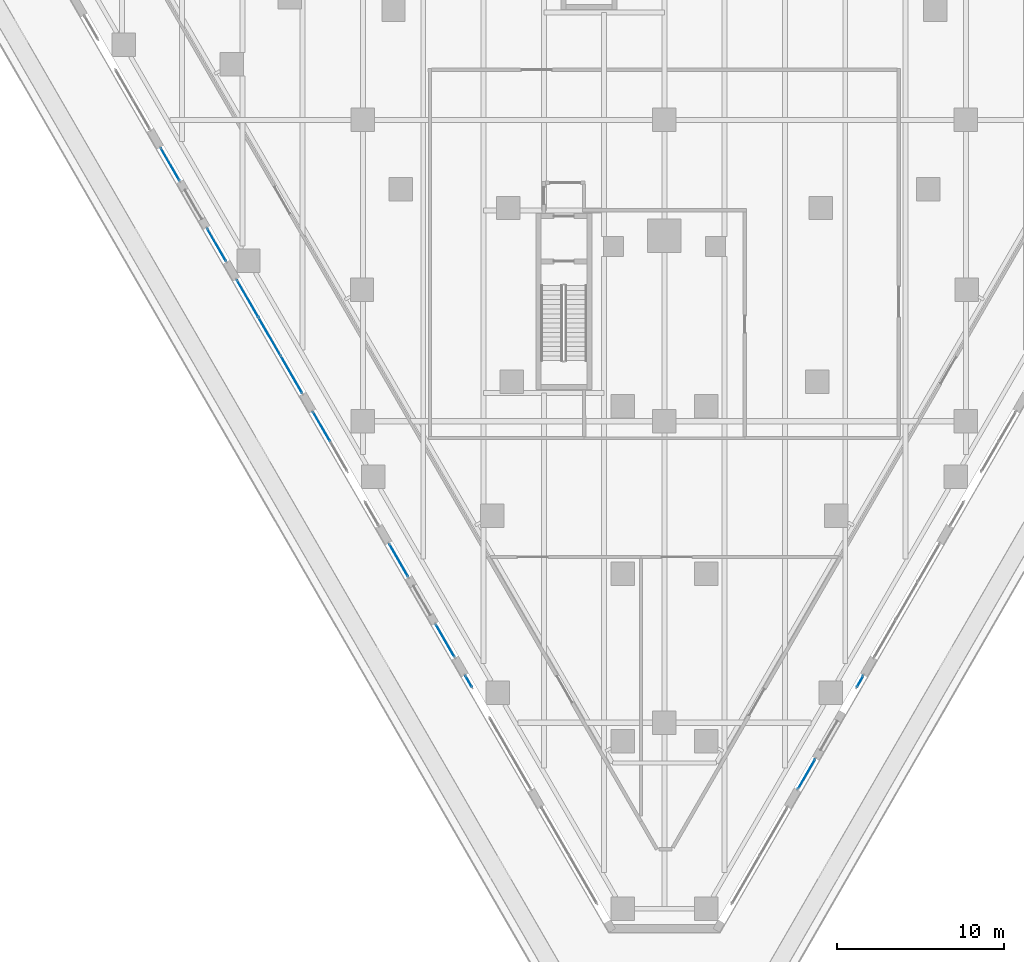
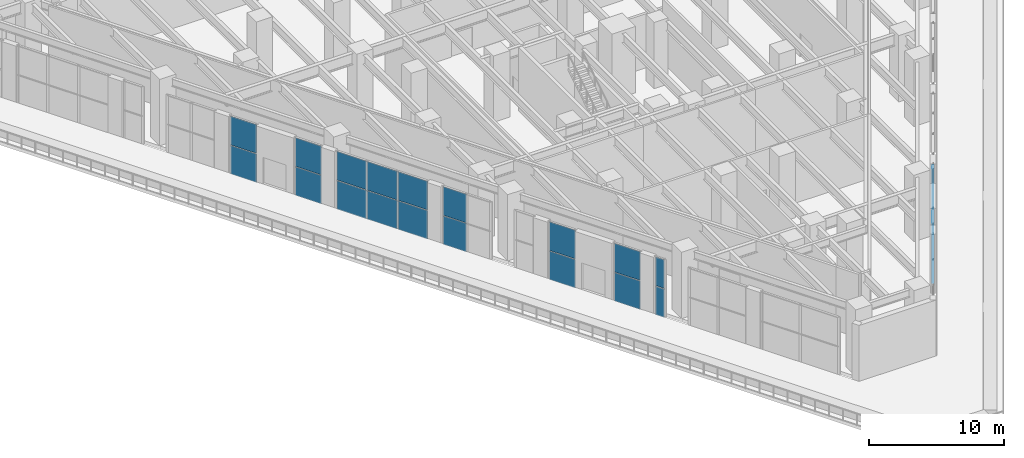
# One storey, part 21 of 40: 22 plates, 9 elements without a shape of their own.
"""IFC4 building model written with IfcOpenShell, lengths in metres."""

from ifc_helpers import new_model, si_unit, direction, frame, origin, origin_2d, place, context, subcontext, project, spatial, rectangle, extrude, material, layer, layer_set, type_object, element, aggregate, save


model = new_model("IFC4")

# Units and contexts
model_context = context("Model", 3, precision=1e-05, world=origin(), true_north=direction((0.0, 1.0)))
body_context = subcontext(model_context, "Body", "Model", "MODEL_VIEW")
ifc_project = project(units=[si_unit("LENGTHUNIT", "METRE"), si_unit("AREAUNIT", "SQUARE_METRE"), si_unit("VOLUMEUNIT", "CUBIC_METRE"), si_unit("PLANEANGLEUNIT", "RADIAN"), si_unit("MASSUNIT", "GRAM", prefix="KILO")], contexts=[model_context])

# Site, building, storey
site_placement = place(None, origin())
site = spatial("IfcSite", under=ifc_project, at=site_placement, CompositionType="ELEMENT")
building_placement = place(site_placement, origin())
building = spatial("IfcBuilding", under=site, at=building_placement, Name="Aloe Facet Convention Tower", CompositionType="ELEMENT")
storey_placement = place(building_placement, frame((0.0, 0.0, 13.5)))
storey = spatial("IfcBuildingStorey", under=building, at=storey_placement, Name="L02", CompositionType="ELEMENT", Elevation=13.5)

# Curtain wall, plates
ifc_material_1 = material(Name="Aluminium, anodised", Category="aluminium")
curtain_wall_type = type_object("IfcCurtainWallType", Name="EV-CW-HALL", PredefinedType="USERDEFINED", material=ifc_material_1)
curtain_wall_1_placement = place(storey_placement, origin())
curtain_wall_1 = element("IfcCurtainWall", 1, at=curtain_wall_1_placement, inside=storey, type_object=curtain_wall_type, Name="CW-L02-W10A", ObjectType="UNITISED HALL GLAZING", PredefinedType="USERDEFINED")
ifc_material_2 = material(Name="Clear double glazing", Category="glass")
ifc_layer = layer(ifc_material_2, 0.035888671875)
ifc_layer_set = layer_set([ifc_layer], Name="EV-PANEL-HALL")
plate_type = type_object("IfcPlateType", Name="EV-PANEL-HALL", PredefinedType="CURTAIN_PANEL", material=ifc_layer_set)
plate_1_placement = place(storey_placement, frame((50.48583984375, 96.340576171875, -0.23486328125), z_axis=(0.0, 0.0, 1.0), x_axis=(0.500000000227, -0.866025403654, 0.0)))
plate_1 = element("IfcPlate", 2, at=plate_1_placement, type_object=plate_type, Name="CW-L02-W10A panel 1.1", PredefinedType="CURTAIN_PANEL", context=body_context, shape_type="SweptSolid", body=[
    extrude(rectangle(XDim=2.219482421875, YDim=0.035888671875, at=origin_2d()), origin(), (0.0, 0.0, 1.0), 2.583740234375),
])
plate_2_placement = place(storey_placement, frame((50.48583984375, 96.340576171875, 2.41357421875), z_axis=(0.0, 0.0, 1.0), x_axis=(0.500000000227, -0.866025403654, 0.0)))
plate_2 = element("IfcPlate", 3, at=plate_2_placement, type_object=plate_type, Name="CW-L02-W10A panel 1.2", PredefinedType="CURTAIN_PANEL", context=body_context, shape_type="SweptSolid", body=[
    extrude(rectangle(XDim=2.219482421875, YDim=0.035888671875, at=origin_2d()), origin(), (0.0, 0.0, 1.0), 2.583740234375),
])
aggregate(curtain_wall_1, [plate_1, plate_2])

curtain_wall_2_placement = place(storey_placement, origin())
curtain_wall_2 = element("IfcCurtainWall", 4, at=curtain_wall_2_placement, inside=storey, type_object=curtain_wall_type, Name="CW-L02-W10B", ObjectType="UNITISED HALL GLAZING", PredefinedType="USERDEFINED")
plate_3_placement = place(storey_placement, frame((53.260498046875, 91.53466796875, -0.23486328125), z_axis=(0.0, 0.0, 1.0), x_axis=(0.499999999909, -0.866025403837, 0.0)))
plate_3 = element("IfcPlate", 5, at=plate_3_placement, type_object=plate_type, Name="CW-L02-W10B panel 1.1", PredefinedType="CURTAIN_PANEL", context=body_context, shape_type="SweptSolid", body=[
    extrude(rectangle(XDim=2.219482421875, YDim=0.035888671875, at=origin_2d()), origin(), (0.0, 0.0, 1.0), 2.583740234375),
])
plate_4_placement = place(storey_placement, frame((53.260498046875, 91.53466796875, 2.41357421875), z_axis=(0.0, 0.0, 1.0), x_axis=(0.499999999909, -0.866025403837, 0.0)))
plate_4 = element("IfcPlate", 6, at=plate_4_placement, type_object=plate_type, Name="CW-L02-W10B panel 1.2", PredefinedType="CURTAIN_PANEL", context=body_context, shape_type="SweptSolid", body=[
    extrude(rectangle(XDim=2.219482421875, YDim=0.035888671875, at=origin_2d()), origin(), (0.0, 0.0, 1.0), 2.583740234375),
])
aggregate(curtain_wall_2, [plate_3, plate_4])

curtain_wall_3_placement = place(storey_placement, origin())
curtain_wall_3 = element("IfcCurtainWall", 7, at=curtain_wall_3_placement, inside=storey, type_object=curtain_wall_type, Name="CW-L02-W12", ObjectType="UNITISED HALL GLAZING", PredefinedType="USERDEFINED")
plate_5_placement = place(storey_placement, frame((55.1142578125, 88.323974609375, -0.23486328125), z_axis=(0.0, 0.0, 1.0), x_axis=(0.500000000045, -0.866025403758, 0.0)))
plate_5 = element("IfcPlate", 8, at=plate_5_placement, type_object=plate_type, Name="CW-L02-W12 panel 1.1", PredefinedType="CURTAIN_PANEL", context=body_context, shape_type="SweptSolid", body=[
    extrude(rectangle(XDim=2.535400390625, YDim=0.035888671875, at=origin_2d()), origin(), (0.0, 0.0, 1.0), 2.583740234375),
])
plate_6_placement = place(storey_placement, frame((55.1142578125, 88.323974609375, 2.41357421875), z_axis=(0.0, 0.0, 1.0), x_axis=(0.500000000045, -0.866025403758, 0.0)))
plate_6 = element("IfcPlate", 9, at=plate_6_placement, type_object=plate_type, Name="CW-L02-W12 panel 1.2", PredefinedType="CURTAIN_PANEL", context=body_context, shape_type="SweptSolid", body=[
    extrude(rectangle(XDim=2.535400390625, YDim=0.035888671875, at=origin_2d()), origin(), (0.0, 0.0, 1.0), 2.583740234375),
])
plate_7_placement = place(storey_placement, frame((56.422607421875, 86.057861328125, -0.23486328125), z_axis=(0.0, 0.0, 1.0), x_axis=(0.500000000045, -0.866025403758, 0.0)))
plate_7 = element("IfcPlate", 10, at=plate_7_placement, type_object=plate_type, Name="CW-L02-W12 panel 2.1", PredefinedType="CURTAIN_PANEL", context=body_context, shape_type="SweptSolid", body=[
    extrude(rectangle(XDim=2.56787109375, YDim=0.035888671875, at=origin_2d()), origin(), (0.0, 0.0, 1.0), 2.583740234375),
])
plate_8_placement = place(storey_placement, frame((56.422607421875, 86.057861328125, 2.41357421875), z_axis=(0.0, 0.0, 1.0), x_axis=(0.500000000045, -0.866025403758, 0.0)))
plate_8 = element("IfcPlate", 11, at=plate_8_placement, type_object=plate_type, Name="CW-L02-W12 panel 2.2", PredefinedType="CURTAIN_PANEL", context=body_context, shape_type="SweptSolid", body=[
    extrude(rectangle(XDim=2.56787109375, YDim=0.035888671875, at=origin_2d()), origin(), (0.0, 0.0, 1.0), 2.583740234375),
])
plate_9_placement = place(storey_placement, frame((57.73095703125, 83.791748046875, -0.23486328125), z_axis=(0.0, 0.0, 1.0), x_axis=(0.500000000045, -0.866025403758, 0.0)))
plate_9 = element("IfcPlate", 12, at=plate_9_placement, type_object=plate_type, Name="CW-L02-W12 panel 3.1", PredefinedType="CURTAIN_PANEL", context=body_context, shape_type="SweptSolid", body=[
    extrude(rectangle(XDim=2.535400390625, YDim=0.035888671875, at=origin_2d()), origin(), (0.0, 0.0, 1.0), 2.583740234375),
])
plate_10_placement = place(storey_placement, frame((57.73095703125, 83.791748046875, 2.41357421875), z_axis=(0.0, 0.0, 1.0), x_axis=(0.500000000045, -0.866025403758, 0.0)))
plate_10 = element("IfcPlate", 13, at=plate_10_placement, type_object=plate_type, Name="CW-L02-W12 panel 3.2", PredefinedType="CURTAIN_PANEL", context=body_context, shape_type="SweptSolid", body=[
    extrude(rectangle(XDim=2.535400390625, YDim=0.035888671875, at=origin_2d()), origin(), (0.0, 0.0, 1.0), 2.583740234375),
])
aggregate(curtain_wall_3, [plate_5, plate_6, plate_7, plate_8, plate_9, plate_10])

curtain_wall_4_placement = place(storey_placement, origin())
curtain_wall_4 = element("IfcCurtainWall", 14, at=curtain_wall_4_placement, inside=storey, type_object=curtain_wall_type, Name="CW-L02-W14-1", ObjectType="UNITISED HALL GLAZING", PredefinedType="USERDEFINED")
plate_11_placement = place(storey_placement, frame((59.52685546875, 80.68115234375, -0.23486328125), z_axis=(0.0, 0.0, 1.0), x_axis=(0.49999999994, -0.866025403819, 0.0)))
plate_11 = element("IfcPlate", 15, at=plate_11_placement, type_object=plate_type, Name="CW-L02-W14-1 panel 1.1", PredefinedType="CURTAIN_PANEL", context=body_context, shape_type="SweptSolid", body=[
    extrude(rectangle(XDim=1.98828125, YDim=0.035888671875, at=origin_2d()), origin(), (0.0, 0.0, 1.0), 2.583740234375),
])
plate_12_placement = place(storey_placement, frame((59.52685546875, 80.68115234375, 2.41357421875), z_axis=(0.0, 0.0, 1.0), x_axis=(0.49999999994, -0.866025403819, 0.0)))
plate_12 = element("IfcPlate", 16, at=plate_12_placement, type_object=plate_type, Name="CW-L02-W14-1 panel 1.2", PredefinedType="CURTAIN_PANEL", context=body_context, shape_type="SweptSolid", body=[
    extrude(rectangle(XDim=1.98828125, YDim=0.035888671875, at=origin_2d()), origin(), (0.0, 0.0, 1.0), 2.583740234375),
])
aggregate(curtain_wall_4, [plate_11, plate_12])

curtain_wall_5_placement = place(storey_placement, origin())
curtain_wall_5 = element("IfcCurtainWall", 17, at=curtain_wall_5_placement, inside=storey, type_object=curtain_wall_type, Name="CW-L02-W16A", ObjectType="UNITISED HALL GLAZING", PredefinedType="USERDEFINED")
plate_13_placement = place(storey_placement, frame((64.134033203125, 72.701171875, -0.23486328125), z_axis=(0.0, 0.0, 1.0), x_axis=(0.499999999909, -0.866025403837, 0.0)))
plate_13 = element("IfcPlate", 18, at=plate_13_placement, type_object=plate_type, Name="CW-L02-W16A panel 1.1", PredefinedType="CURTAIN_PANEL", context=body_context, shape_type="SweptSolid", body=[
    extrude(rectangle(XDim=2.219482421875, YDim=0.035888671875, at=origin_2d()), origin(), (0.0, 0.0, 1.0), 2.583740234375),
])
plate_14_placement = place(storey_placement, frame((64.134033203125, 72.701171875, 2.41357421875), z_axis=(0.0, 0.0, 1.0), x_axis=(0.499999999909, -0.866025403837, 0.0)))
plate_14 = element("IfcPlate", 19, at=plate_14_placement, type_object=plate_type, Name="CW-L02-W16A panel 1.2", PredefinedType="CURTAIN_PANEL", context=body_context, shape_type="SweptSolid", body=[
    extrude(rectangle(XDim=2.219482421875, YDim=0.035888671875, at=origin_2d()), origin(), (0.0, 0.0, 1.0), 2.583740234375),
])
aggregate(curtain_wall_5, [plate_13, plate_14])

curtain_wall_6_placement = place(storey_placement, origin())
curtain_wall_6 = element("IfcCurtainWall", 20, at=curtain_wall_6_placement, inside=storey, type_object=curtain_wall_type, Name="CW-L02-W16B", ObjectType="UNITISED HALL GLAZING", PredefinedType="USERDEFINED")
plate_15_placement = place(storey_placement, frame((66.90869140625, 67.895263671875, -0.23486328125), z_axis=(0.0, 0.0, 1.0), x_axis=(0.499999999909, -0.866025403837, 0.0)))
plate_15 = element("IfcPlate", 21, at=plate_15_placement, type_object=plate_type, Name="CW-L02-W16B panel 1.1", PredefinedType="CURTAIN_PANEL", context=body_context, shape_type="SweptSolid", body=[
    extrude(rectangle(XDim=2.219482421875, YDim=0.035888671875, at=origin_2d()), origin(), (0.0, 0.0, 1.0), 2.583740234375),
])
plate_16_placement = place(storey_placement, frame((66.90869140625, 67.895263671875, 2.41357421875), z_axis=(0.0, 0.0, 1.0), x_axis=(0.499999999909, -0.866025403837, 0.0)))
plate_16 = element("IfcPlate", 22, at=plate_16_placement, type_object=plate_type, Name="CW-L02-W16B panel 1.2", PredefinedType="CURTAIN_PANEL", context=body_context, shape_type="SweptSolid", body=[
    extrude(rectangle(XDim=2.219482421875, YDim=0.035888671875, at=origin_2d()), origin(), (0.0, 0.0, 1.0), 2.583740234375),
])
aggregate(curtain_wall_6, [plate_15, plate_16])

curtain_wall_7_placement = place(storey_placement, origin())
curtain_wall_7 = element("IfcCurtainWall", 23, at=curtain_wall_7_placement, inside=storey, type_object=curtain_wall_type, Name="CW-L02-W18-1", ObjectType="UNITISED HALL GLAZING", PredefinedType="USERDEFINED")
plate_17_placement = place(storey_placement, frame((68.3134765625, 65.462158203125, -0.23486328125), z_axis=(0.0, 0.0, 1.0), x_axis=(0.500000000166, -0.866025403688, 0.0)))
plate_17 = element("IfcPlate", 24, at=plate_17_placement, type_object=plate_type, Name="CW-L02-W18-1 panel 1.1", PredefinedType="CURTAIN_PANEL", context=body_context, shape_type="SweptSolid", body=[
    extrude(rectangle(XDim=0.73974609375, YDim=0.035888671875, at=origin_2d()), origin(), (0.0, 0.0, 1.0), 2.583740234375),
])
plate_18_placement = place(storey_placement, frame((68.3134765625, 65.462158203125, 2.41357421875), z_axis=(0.0, 0.0, 1.0), x_axis=(0.500000000166, -0.866025403688, 0.0)))
plate_18 = element("IfcPlate", 25, at=plate_18_placement, type_object=plate_type, Name="CW-L02-W18-1 panel 1.2", PredefinedType="CURTAIN_PANEL", context=body_context, shape_type="SweptSolid", body=[
    extrude(rectangle(XDim=0.73974609375, YDim=0.035888671875, at=origin_2d()), origin(), (0.0, 0.0, 1.0), 2.583740234375),
])
aggregate(curtain_wall_7, [plate_17, plate_18])

curtain_wall_8_placement = place(storey_placement, origin())
curtain_wall_8 = element("IfcCurtainWall", 26, at=curtain_wall_8_placement, inside=storey, type_object=curtain_wall_type, Name="CW-L02-E04A", ObjectType="UNITISED HALL GLAZING", PredefinedType="USERDEFINED")
plate_19_placement = place(storey_placement, frame((88.491943359375, 59.928955078125, -0.23486328125), z_axis=(0.0, 0.0, 1.0), x_axis=(0.499999999955, 0.866025403811, 0.0)))
plate_19 = element("IfcPlate", 27, at=plate_19_placement, type_object=plate_type, Name="CW-L02-E04A panel 1.1", PredefinedType="CURTAIN_PANEL", context=body_context, shape_type="SweptSolid", body=[
    extrude(rectangle(XDim=2.019287109375, YDim=0.035888671875, at=origin_2d()), origin(), (0.0, 0.0, 1.0), 2.583740234375),
])
plate_20_placement = place(storey_placement, frame((88.491943359375, 59.928955078125, 2.41357421875), z_axis=(0.0, 0.0, 1.0), x_axis=(0.499999999955, 0.866025403811, 0.0)))
plate_20 = element("IfcPlate", 28, at=plate_20_placement, type_object=plate_type, Name="CW-L02-E04A panel 1.2", PredefinedType="CURTAIN_PANEL", context=body_context, shape_type="SweptSolid", body=[
    extrude(rectangle(XDim=2.019287109375, YDim=0.035888671875, at=origin_2d()), origin(), (0.0, 0.0, 1.0), 2.583740234375),
])
aggregate(curtain_wall_8, [plate_19, plate_20])

curtain_wall_9_placement = place(storey_placement, origin())
curtain_wall_9 = element("IfcCurtainWall", 29, at=curtain_wall_9_placement, inside=storey, type_object=curtain_wall_type, Name="CW-L02-E04B", ObjectType="UNITISED HALL GLAZING", PredefinedType="USERDEFINED")
plate_21_placement = place(storey_placement, frame((91.6865234375, 65.462158203125, -0.23486328125), z_axis=(0.0, 0.0, 1.0), x_axis=(0.500000000166, 0.866025403688, 0.0)))
plate_21 = element("IfcPlate", 30, at=plate_21_placement, type_object=plate_type, Name="CW-L02-E04B panel 1.1", PredefinedType="CURTAIN_PANEL", context=body_context, shape_type="SweptSolid", body=[
    extrude(rectangle(XDim=0.73974609375, YDim=0.035888671875, at=origin_2d()), origin(), (0.0, 0.0, 1.0), 2.583740234375),
])
plate_22_placement = place(storey_placement, frame((91.6865234375, 65.462158203125, 2.41357421875), z_axis=(0.0, 0.0, 1.0), x_axis=(0.500000000166, 0.866025403688, 0.0)))
plate_22 = element("IfcPlate", 31, at=plate_22_placement, type_object=plate_type, Name="CW-L02-E04B panel 1.2", PredefinedType="CURTAIN_PANEL", context=body_context, shape_type="SweptSolid", body=[
    extrude(rectangle(XDim=0.73974609375, YDim=0.035888671875, at=origin_2d()), origin(), (0.0, 0.0, 1.0), 2.583740234375),
])
aggregate(curtain_wall_9, [plate_21, plate_22])

save(model, "model.ifc")
